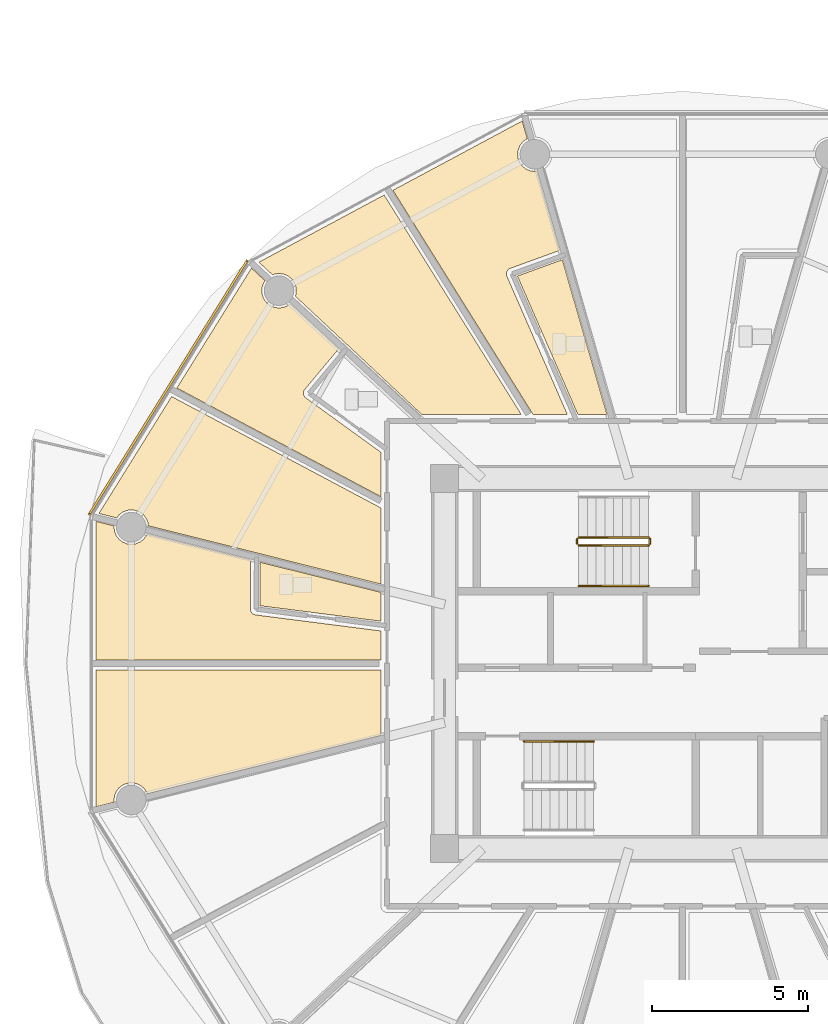
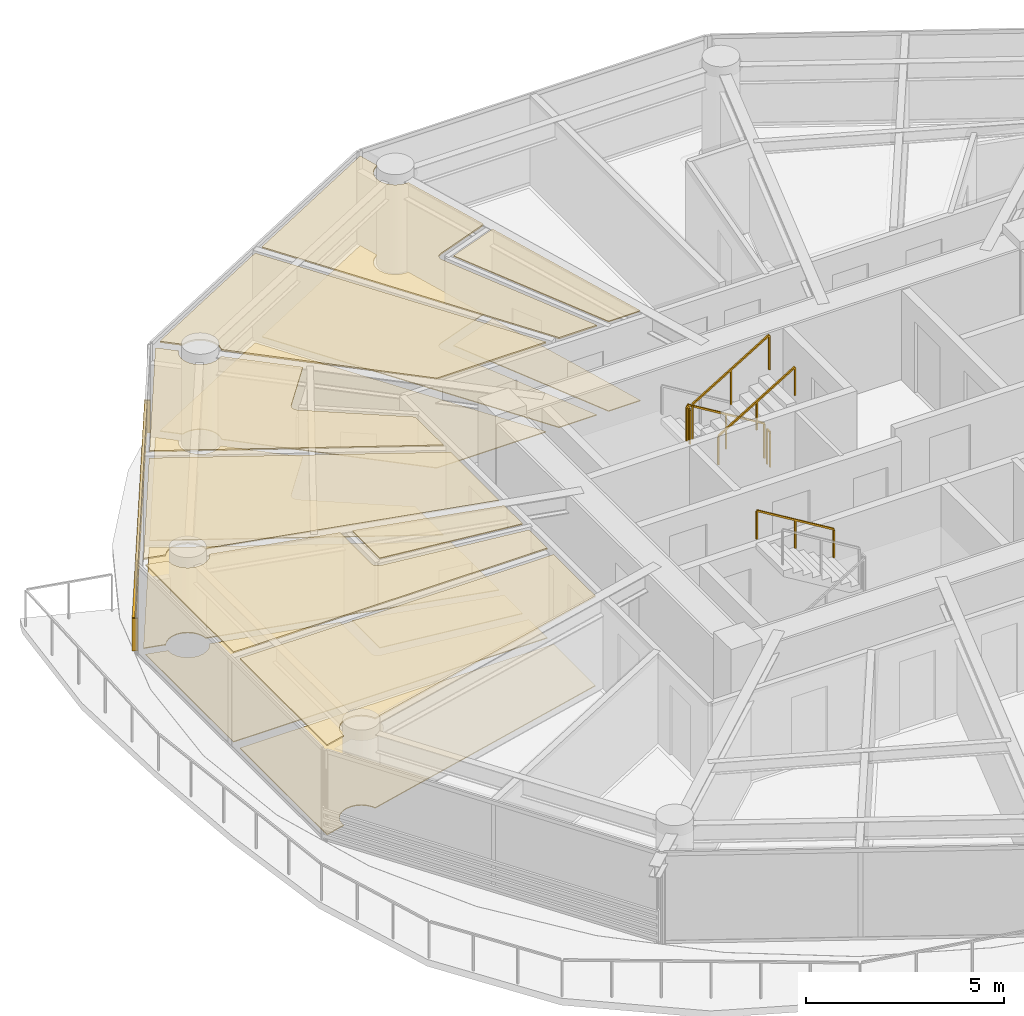
# One storey, part 24 of 31: 16 coverings, 6 railings, 1 shading device.
"""IFC4 building model written with IfcOpenShell, lengths in metres."""

import ifcopenshell
import ifcopenshell.guid

model = None  # the IFC model being written
_history = None  # IfcOwnerHistory: only IFC2X3 demands one
_inside = {}  # id of a spatial element -> (the spatial element, [elements in it])
_under = {}  # id of a project, library or spatial element -> (it, [spatial elements below it])
_declared = {}  # id of a project -> (the project, [libraries it declares])
_typed = {}  # id of a type object -> (the type object, [elements of that type])
_made_of = {}  # id of a material, layer set ... -> (it, [elements and type objects made of it])


def new_model(schema):
    """Start an empty IFC model of exactly this schema.

    Asked for "IFC4X3", IfcOpenShell would pick the latest addendum, in which some entities
    have other attributes; the version numbers below select the first issue.
    IFC2X3 requires an IfcOwnerHistory on every rooted entity: one is made here for all.
    """
    global model, _history
    if schema == "IFC4X3":
        model = ifcopenshell.file(schema_version=(4, 3, 0, 0))
    else:
        model = ifcopenshell.file(schema=schema)
    _inside.clear()
    _under.clear()
    _declared.clear()
    _typed.clear()
    _made_of.clear()
    _history = None
    if model.schema == "IFC2X3":
        org = make("IfcOrganization", Name="unknown")
        user = make(
            "IfcPersonAndOrganization",
            ThePerson=make("IfcPerson", FamilyName="unknown"),
            TheOrganization=org,
        )
        app = make(
            "IfcApplication",
            ApplicationDeveloper=org,
            Version="unknown",
            ApplicationFullName="unknown",
            ApplicationIdentifier="unknown",
        )
        _history = make(
            "IfcOwnerHistory",
            OwningUser=user,
            OwningApplication=app,
            ChangeAction="ADDED",
            CreationDate=0,
        )
    return model


def make(cls, **values):
    """One entity of the class cls with the attributes given. An attribute that is None is left unset."""
    return model.create_entity(
        cls, **{name: value for name, value in values.items() if value is not None}
    )


def rooted(cls, **values):
    """An entity with a GlobalId (a new one), such as an element, a storey or a relation."""
    return make(cls, GlobalId=ifcopenshell.guid.new(), OwnerHistory=_history, **values)


def si_unit(unit_type, name, prefix=None):
    """IfcSIUnit, for example si_unit("LENGTHUNIT", "METRE", prefix="MILLI")."""
    return make("IfcSIUnit", UnitType=unit_type, Prefix=prefix, Name=name)


def assignment(units):
    """IfcUnitAssignment: the units of a project."""
    return None if units is None else make("IfcUnitAssignment", Units=units)


def point(xyz):
    """IfcCartesianPoint."""
    return None if xyz is None else make("IfcCartesianPoint", Coordinates=xyz)


def direction(xyz):
    """IfcDirection."""
    return None if xyz is None else make("IfcDirection", DirectionRatios=xyz)


def frame(location, z_axis=None, x_axis=None):
    """IfcAxis2Placement3D, a coordinate frame: its origin and axes. An axis left out is left unset."""
    return make(
        "IfcAxis2Placement3D",
        Location=point(location),
        Axis=direction(z_axis),
        RefDirection=direction(x_axis),
    )


def frame_2d(location, x_axis=None):
    """IfcAxis2Placement2D, a coordinate frame in the plane: its origin and x axis."""
    return make(
        "IfcAxis2Placement2D", Location=point(location), RefDirection=direction(x_axis)
    )


def origin():
    """The frame at (0, 0, 0) with its axes left unset."""
    return frame((0.0, 0.0, 0.0))


def origin_2d():
    """The frame at (0, 0) in the plane with its x axis left unset."""
    return frame_2d((0.0, 0.0))


def place(relative_to, where):
    """IfcLocalPlacement: puts the frame where relative to a parent placement (None: the world)."""
    return make(
        "IfcLocalPlacement", PlacementRelTo=relative_to, RelativePlacement=where
    )


def context(
    kind, dimensions, precision=None, world=None, true_north=None, identifier=None
):
    """IfcGeometricRepresentationContext, for example the 3D "Model" context."""
    return make(
        "IfcGeometricRepresentationContext",
        ContextIdentifier=identifier,
        ContextType=kind,
        CoordinateSpaceDimension=dimensions,
        Precision=precision,
        WorldCoordinateSystem=world,
        TrueNorth=true_north,
    )


def subcontext(parent, identifier, kind, view, scale=None):
    """IfcGeometricRepresentationSubContext, for example "Body" below "Model"."""
    return make(
        "IfcGeometricRepresentationSubContext",
        ContextIdentifier=identifier,
        ContextType=kind,
        ParentContext=parent,
        TargetScale=scale,
        TargetView=view,
    )


def project(units=None, contexts=None):
    """IfcProject with its units and contexts."""
    return rooted(
        "IfcProject",
        Name="project",
        RepresentationContexts=contexts,
        UnitsInContext=assignment(units),
    )


def spatial(cls, under=None, at=None, **own):
    """A site, building, storey or space (cls), placed at a placement, below another one or the project."""
    s = rooted(cls, ObjectPlacement=at, **own)
    if under is not None:
        _under.setdefault(under.id(), (under, []))[1].append(s)
    return s


def polyline(points):
    """IfcPolyline through the points."""
    return make("IfcPolyline", Points=[point(p) for p in points])


def profile(cls, at=None, kind="AREA", **sizes):
    """A parametric profile (cls). Its sizes go by their IFC names, for example OverallWidth=200.0."""
    return make(cls, ProfileType=kind, Position=at, **sizes)


def rectangle(**sizes):
    """IfcRectangleProfileDef."""
    return profile("IfcRectangleProfileDef", **sizes)


def outline(outer, holes=None, kind="AREA"):
    """IfcArbitraryClosedProfileDef: a profile drawn as a closed curve; with holes, ...WithVoids."""
    if holes is None:
        return make("IfcArbitraryClosedProfileDef", ProfileType=kind, OuterCurve=outer)
    return make(
        "IfcArbitraryProfileDefWithVoids",
        ProfileType=kind,
        OuterCurve=outer,
        InnerCurves=holes,
    )


def extrude(swept, where, along, depth):
    """IfcExtrudedAreaSolid: the profile swept, set in the frame where, extruded along a direction by depth."""
    return make(
        "IfcExtrudedAreaSolid",
        SweptArea=swept,
        Position=where,
        ExtrudedDirection=direction(along),
        Depth=depth,
    )


def shape(context_of_items, identifier, shape_type, items):
    """IfcShapeRepresentation: the items that make up one representation, for example the "Body"."""
    return make(
        "IfcShapeRepresentation",
        ContextOfItems=context_of_items,
        RepresentationIdentifier=identifier,
        RepresentationType=shape_type,
        Items=items,
    )


def source(mapping_origin, context_of_items, identifier, shape_type, items):
    """IfcRepresentationMap: a shape defined once, which mapped items show again and again."""
    return make(
        "IfcRepresentationMap",
        MappingOrigin=mapping_origin,
        MappedRepresentation=shape(context_of_items, identifier, shape_type, items),
    )


def transform(
    local_origin,
    x_axis=None,
    y_axis=None,
    z_axis=None,
    scale=None,
    scale2=None,
    scale3=None,
    uniform=True,
):
    """IfcCartesianTransformationOperator3D, or its non-uniform kind. x_axis, y_axis, z_axis: its Axis1, 2, 3."""
    if uniform:
        return make(
            "IfcCartesianTransformationOperator3D",
            Axis1=direction(x_axis),
            Axis2=direction(y_axis),
            LocalOrigin=point(local_origin),
            Scale=scale,
            Axis3=direction(z_axis),
        )
    return make(
        "IfcCartesianTransformationOperator3DnonUniform",
        Axis1=direction(x_axis),
        Axis2=direction(y_axis),
        LocalOrigin=point(local_origin),
        Scale=scale,
        Axis3=direction(z_axis),
        Scale2=scale2,
        Scale3=scale3,
    )


def mapped(mapping_source, mapping_target):
    """IfcMappedItem: shows the shape of a source again, moved by a transform."""
    return make(
        "IfcMappedItem", MappingSource=mapping_source, MappingTarget=mapping_target
    )


def material(Name=None, Category=None):
    """IfcMaterial."""
    return make("IfcMaterial", Name=Name, Category=Category)


def layer(
    of_material, thickness, ventilated=None, Name=None, Category=None, Priority=None
):
    """IfcMaterialLayer: one layer of a wall or slab, of a material (None: an air gap)."""
    return make(
        "IfcMaterialLayer",
        Material=of_material,
        LayerThickness=thickness,
        IsVentilated=ventilated,
        Name=Name,
        Category=Category,
        Priority=Priority,
    )


def layer_set(layers, Name=None):
    """IfcMaterialLayerSet."""
    return make("IfcMaterialLayerSet", MaterialLayers=layers, LayerSetName=Name)


def made_of(thing, what):
    """Note that an element or type object is made of a material, layer set ...; save() writes the relation."""
    if what is not None:
        _made_of.setdefault(what.id(), (what, []))[1].append(thing)
    return thing


def type_object(cls, material=None, **own):
    """A type object (cls), such as IfcWallType, which elements share."""
    return made_of(rooted(cls, **own), material)


def type_shapes(of_type, sources):
    """Give a type object the sources (RepresentationMaps) that its elements show as mapped items."""
    of_type.RepresentationMaps = sources


def element(
    cls,
    number,
    at=None,
    inside=None,
    cuts=None,
    type_object=None,
    material=None,
    context=None,
    identifier="Body",
    shape_type=None,
    held_by="IfcProductDefinitionShape",
    body=None,
    shapes=None,
    **own,
):
    """One element of the class cls, such as IfcWall. Its Tag is "e" and its number.

    at: its placement. inside: the storey or other place that contains it. cuts: it is an
    opening in that element (IfcRelVoidsElement). A single representation is given by context,
    identifier, shape_type and body (its items); several are given by shapes. held_by: the class
    of the entity that holds the representations. save() writes the other relations.
    """
    e = rooted(cls, Tag="e%d" % number, ObjectPlacement=at, **own)
    if body is not None:
        shapes = [shape(context, identifier, shape_type, body)]
    if shapes is not None:
        e.Representation = make(held_by, Representations=shapes)
    if inside is not None:
        _inside.setdefault(inside.id(), (inside, []))[1].append(e)
    if cuts is not None:
        rooted(
            "IfcRelVoidsElement", RelatingBuildingElement=cuts, RelatedOpeningElement=e
        )
    if type_object is not None:
        _typed.setdefault(type_object.id(), (type_object, []))[1].append(e)
    return made_of(e, material)


def aggregate(whole, parts):
    """IfcRelAggregates: a whole, such as a stair, and the parts it consists of."""
    return rooted("IfcRelAggregates", RelatingObject=whole, RelatedObjects=parts)


def save(model, path):
    """Write the relations noted so far, then the file.

    IfcRelAggregates (storeys below a building ...), IfcRelContainedInSpatialStructure (elements
    in a storey), IfcRelDefinesByType, IfcRelAssociatesMaterial and IfcRelDeclares: one each for
    every whole, place, type object, material and project.
    """
    for whole, parts in _under.values():
        aggregate(whole, parts)
    for where, things in _inside.values():
        rooted(
            "IfcRelContainedInSpatialStructure",
            RelatedElements=things,
            RelatingStructure=where,
        )
    for kind, things in _typed.values():
        rooted("IfcRelDefinesByType", RelatedObjects=things, RelatingType=kind)
    for what, things in _made_of.values():
        rooted("IfcRelAssociatesMaterial", RelatedObjects=things, RelatingMaterial=what)
    for by, libraries in _declared.values():
        rooted("IfcRelDeclares", RelatingContext=by, RelatedDefinitions=libraries)
    model.write(path)


model = new_model("IFC4")

# Units and contexts
model_context = context("Model", 3, precision=1e-05, world=origin(), true_north=direction((0.0, 1.0)))
body_context = subcontext(model_context, "Body", "Model", "MODEL_VIEW")
ifc_project = project(units=[si_unit("LENGTHUNIT", "METRE"), si_unit("AREAUNIT", "SQUARE_METRE"), si_unit("VOLUMEUNIT", "CUBIC_METRE"), si_unit("PLANEANGLEUNIT", "RADIAN"), si_unit("MASSUNIT", "GRAM", prefix="KILO")], contexts=[model_context])

# Site, building, storey
site_placement = place(None, origin())
site = spatial("IfcSite", under=ifc_project, at=site_placement, CompositionType="ELEMENT")
building_placement = place(site_placement, origin())
building = spatial("IfcBuilding", under=site, at=building_placement, Name="Norrkilde Senior Care Towers", CompositionType="ELEMENT")
storey_placement = place(building_placement, frame((0.0, 0.0, 42.949951171875)))
storey = spatial("IfcBuildingStorey", under=building, at=storey_placement, Name="L12", CompositionType="ELEMENT", Elevation=42.949951171875)

# Coverings
ifc_material_1 = material(Name="Nordic Ash Timber", Category="wood")
ifc_layer_1 = layer(ifc_material_1, 0.044921875)
ifc_layer_set_1 = layer_set([ifc_layer_1], Name="Nordic Ash Timber")
covering_type_1 = type_object("IfcCoveringType", Name="Acoustic Ash Timber Slatted Ceiling 45", PredefinedType="CEILING", material=ifc_layer_set_1)
covering_1_placement = place(storey_placement, frame((0.0, 0.0, 2.7451171875)))
element("IfcCovering", 1, at=covering_1_placement, inside=storey, type_object=covering_type_1, Name="L12 Suspended Ceiling 0162", PredefinedType="CEILING", context=body_context, shape_type="SweptSolid", body=[
    extrude(outline(polyline([(-33.5615234375, 12.69580078125), (-33.5673828125, 12.692626953125), (-33.577392578125, 12.6865234375), (-33.582763671875, 12.682861328125), (-33.592041015625, 12.676025390625), (-33.597412109375, 12.671875), (-33.60595703125, 12.6640625), (-33.61083984375, 12.659423828125), (-33.618408203125, 12.65087890625), (-33.622802734375, 12.645751953125), (-33.629638671875, 12.636474609375), (-33.633544921875, 12.630859375), (-33.6396484375, 12.62109375), (-33.642822265625, 12.615234375), (-33.64794921875, 12.604736328125), (-33.650390625, 12.5986328125), (-33.654541015625, 12.587890625), (-33.656494140625, 12.581298828125), (-33.65966796875, 12.5703125), (-33.660888671875, 12.563720703125), (-33.662841796875, 12.55224609375), (-33.66357421875, 12.545654296875), (-33.66455078125, 12.5341796875), (-33.66455078125, 12.52734375), (-33.664306640625, 12.515869140625), (-33.663818359375, 12.509033203125), (-33.662353515625, 12.49755859375), (-33.6611328125, 12.490966796875), (-33.65869140625, 12.479736328125), (-33.656982421875, 12.473388671875), (-33.6533203125, 12.46240234375), (-33.65087890625, 12.4560546875), (-33.648681640625, 12.45068359375), (-31.70361328125, 8.0), (-32.80517578125, 8.0), (-32.85498046875, 8.080322265625), (-32.855224609375, 8.080810546875), (-37.31396484375, 15.2138671875), (-33.1572265625, 17.442626953125), (-32.991455078125, 16.86767578125), (-33.02685546875, 16.85302734375), (-33.141845703125, 16.764892578125), (-33.22998046875, 16.64990234375), (-33.285400390625, 16.51611328125), (-33.304443359375, 16.37255859375), (-33.285400390625, 16.228759765625), (-33.22998046875, 16.094970703125), (-33.141845703125, 15.97998046875), (-33.02685546875, 15.891845703125), (-32.89306640625, 15.83642578125), (-32.749267578125, 15.8173828125), (-32.6904296875, 15.8251953125), (-31.95556640625, 13.2802734375), (-33.53955078125, 12.705322265625), (-33.544921875, 12.703369140625), (-33.551025390625, 12.70068359375), (-33.5615234375, 12.69580078125)])), origin(), (0.0, 0.0, 1.0), 0.044921875),
])
covering_2_placement = place(storey_placement, frame((0.0, 0.0, 2.7451171875)))
element("IfcCovering", 2, at=covering_2_placement, inside=storey, type_object=covering_type_1, Name="L12 Suspended Ceiling 0164", PredefinedType="CEILING", context=body_context, shape_type="SweptSolid", body=[
    extrude(outline(polyline([(-36.377685546875, 8.0), (-40.4521484375, 11.810791015625), (-40.439208984375, 11.841796875), (-40.42041015625, 11.9853515625), (-40.439208984375, 12.129150390625), (-40.494873046875, 12.262939453125), (-40.5830078125, 12.3779296875), (-40.697998046875, 12.466064453125), (-40.831787109375, 12.521484375), (-40.975341796875, 12.54052734375), (-41.119140625, 12.521484375), (-41.183349609375, 12.494873046875), (-41.62109375, 12.904296875), (-37.596435546875, 15.062255859375), (-33.18212890625, 8.0), (-36.377685546875, 8.0)])), origin(), (0.0, 0.0, 1.0), 0.044921875),
])
covering_3_placement = place(storey_placement, frame((0.0, 0.0, 2.7451171875)))
element("IfcCovering", 3, at=covering_3_placement, inside=storey, type_object=covering_type_1, Name="L12 Suspended Ceiling 0165", PredefinedType="CEILING", context=body_context, shape_type="SweptSolid", body=[
    extrude(outline(polyline([(-40.16064453125, 8.79443359375), (-40.1640625, 8.788818359375), (-40.169677734375, 8.778564453125), (-40.172607421875, 8.772705078125), (-40.17724609375, 8.761962890625), (-40.1796875, 8.755615234375), (-40.18310546875, 8.74462890625), (-40.184814453125, 8.738037109375), (-40.187255859375, 8.726806640625), (-40.1884765625, 8.72021484375), (-40.18994140625, 8.708740234375), (-40.190185546875, 8.701904296875), (-40.1904296875, 8.6904296875), (-40.1904296875, 8.68359375), (-40.189453125, 8.672119140625), (-40.188720703125, 8.665283203125), (-40.186767578125, 8.654052734375), (-40.185302734375, 8.6474609375), (-40.18212890625, 8.63623046875), (-40.179931640625, 8.6298828125), (-40.17578125, 8.618896484375), (-40.173095703125, 8.61279296875), (-40.16796875, 8.6025390625), (-40.164794921875, 8.596435546875), (-40.15869140625, 8.586669921875), (-40.15478515625, 8.5810546875), (-40.147705078125, 8.572021484375), (-40.143310546875, 8.56689453125), (-40.135498046875, 8.558349609375), (-40.130615234375, 8.5537109375), (-40.121826171875, 8.5458984375), (-40.11669921875, 8.541748046875), (-40.112060546875, 8.538330078125), (-37.699951171875, 6.791259765625), (-37.699951171875, 5.365478515625), (-44.258544921875, 8.856689453125), (-41.861328125, 12.71240234375), (-41.42333984375, 12.3056640625), (-41.4560546875, 12.262939453125), (-41.511474609375, 12.129150390625), (-41.530517578125, 11.9853515625), (-41.511474609375, 11.841796875), (-41.4560546875, 11.7080078125), (-41.367919921875, 11.593017578125), (-41.2529296875, 11.5048828125), (-41.119140625, 11.449462890625), (-40.975341796875, 11.430419921875), (-40.831787109375, 11.449462890625), (-40.697998046875, 11.5048828125), (-40.623046875, 11.562255859375), (-39.0615234375, 10.111572265625), (-40.146484375, 8.81396484375), (-40.14990234375, 8.8095703125), (-40.154052734375, 8.80419921875), (-40.16064453125, 8.79443359375)])), origin(), (0.0, 0.0, 1.0), 0.044921875),
])
covering_4_placement = place(storey_placement, frame((0.0, 0.0, 2.7451171875)))
element("IfcCovering", 4, at=covering_4_placement, inside=storey, type_object=covering_type_1, Name="L12 Suspended Ceiling 0166", PredefinedType="CEILING", context=body_context, shape_type="SweptSolid", body=[
    extrude(outline(polyline([(-37.79736328125, 5.0546875), (-37.7001953125, 5.002197265625), (-37.699951171875, 2.5546875), (-45.175048828125, 4.427978515625), (-45.188720703125, 4.530517578125), (-45.244140625, 4.66455078125), (-45.332275390625, 4.779541015625), (-45.447265625, 4.86767578125), (-45.5810546875, 4.923095703125), (-45.724853515625, 4.94189453125), (-45.868408203125, 4.923095703125), (-46.002197265625, 4.86767578125), (-46.1171875, 4.779541015625), (-46.19140625, 4.6826171875), (-46.763916015625, 4.826171875), (-44.427734375, 8.584228515625), (-37.79736328125, 5.0546875)])), origin(), (0.0, 0.0, 1.0), 0.044921875),
])
covering_5_placement = place(storey_placement, frame((0.0, 0.0, 2.7451171875)))
element("IfcCovering", 5, at=covering_5_placement, inside=storey, type_object=covering_type_1, Name="L12 Suspended Ceiling 0167", PredefinedType="CEILING", context=body_context, shape_type="SweptSolid", body=[
    extrude(outline(polyline([(-41.89453125, 1.729736328125), (-41.8935546875, 1.72314453125), (-41.891357421875, 1.711669921875), (-41.8896484375, 1.705078125), (-41.886474609375, 1.694091796875), (-41.88427734375, 1.687744140625), (-41.8798828125, 1.677001953125), (-41.877197265625, 1.6708984375), (-41.871826171875, 1.66064453125), (-41.868408203125, 1.65478515625), (-41.862060546875, 1.64501953125), (-41.858154296875, 1.639404296875), (-41.85107421875, 1.63037109375), (-41.846435546875, 1.62548828125), (-41.83837890625, 1.616943359375), (-41.83349609375, 1.612548828125), (-41.82470703125, 1.60498046875), (-41.8193359375, 1.600830078125), (-41.809814453125, 1.59423828125), (-41.80419921875, 1.590576171875), (-41.794189453125, 1.5849609375), (-41.7880859375, 1.581787109375), (-41.777587890625, 1.5771484375), (-41.771240234375, 1.57470703125), (-41.76025390625, 1.571044921875), (-41.753662109375, 1.5693359375), (-41.742431640625, 1.566650390625), (-41.73583984375, 1.5654296875), (-41.72998046875, 1.564697265625), (-37.699951171875, 1.049072265625), (-37.699951171875, 0.1201171875), (-46.850830078125, 0.1201171875), (-46.850830078125, 4.5673828125), (-46.27490234375, 4.424072265625), (-46.27978515625, 4.386962890625), (-46.2607421875, 4.243408203125), (-46.205322265625, 4.109375), (-46.1171875, 3.99462890625), (-46.002197265625, 3.90625), (-45.868408203125, 3.850830078125), (-45.724853515625, 3.83203125), (-45.5810546875, 3.850830078125), (-45.447265625, 3.90625), (-45.332275390625, 3.99462890625), (-45.244140625, 4.109375), (-45.22216796875, 4.162353515625), (-41.89013671875, 3.333740234375), (-41.89599609375, 1.75390625), (-41.895751953125, 1.748046875), (-41.8955078125, 1.7412109375), (-41.89453125, 1.729736328125)])), origin(), (0.0, 0.0, 1.0), 0.044921875),
])
covering_6_placement = place(storey_placement, frame((0.0, 0.0, 2.7451171875)))
element("IfcCovering", 6, at=covering_6_placement, inside=storey, type_object=covering_type_1, Name="L12 Suspended Ceiling 0169", PredefinedType="CEILING", context=body_context, shape_type="SweptSolid", body=[
    extrude(outline(polyline([(-37.699951171875, -0.199951171875), (-37.699951171875, -2.30712890625), (-45.2109375, -4.189697265625), (-45.244140625, -4.109375), (-45.332275390625, -3.99462890625), (-45.447265625, -3.90625), (-45.5810546875, -3.850830078125), (-45.724853515625, -3.83203125), (-45.868408203125, -3.850830078125), (-46.002197265625, -3.90625), (-46.1171875, -3.99462890625), (-46.205322265625, -4.109375), (-46.2607421875, -4.243408203125), (-46.27978515625, -4.386962890625), (-46.270751953125, -4.455322265625), (-46.850830078125, -4.6005859375), (-46.850830078125, -0.199951171875), (-37.699951171875, -0.199951171875)])), origin(), (0.0, 0.0, 1.0), 0.044921875),
])
ifc_material_2 = material(Name="Gypsum Acoustic Board")
ifc_layer_2 = layer(ifc_material_2, 0.030029296875)
ifc_layer_set_2 = layer_set([ifc_layer_2], Name="Gypsum Acoustic Board")
covering_type_2 = type_object("IfcCoveringType", Name="Medical Cleanable Gypsum Ceiling 30", PredefinedType="CEILING", material=ifc_layer_set_2)
covering_7_placement = place(storey_placement, frame((0.0, 0.0, 2.760009765625)))
element("IfcCovering", 7, at=covering_7_placement, inside=storey, type_object=covering_type_2, Name="L12 Suspended Ceiling 0163", PredefinedType="CEILING", context=body_context, shape_type="SweptSolid", body=[
    extrude(outline(polyline([(-31.869384765625, 12.981689453125), (-30.432373046875, 8.0), (-31.365234375, 8.0), (-33.3134765625, 12.45751953125), (-31.869384765625, 12.981689453125)])), origin(), (0.0, 0.0, 1.0), 0.030029296875),
])
covering_8_placement = place(storey_placement, frame((0.0, 0.0, 2.760009765625)))
element("IfcCovering", 8, at=covering_8_placement, inside=storey, type_object=covering_type_2, Name="L12 Suspended Ceiling 0168", PredefinedType="CEILING", context=body_context, shape_type="SweptSolid", body=[
    extrude(outline(polyline([(-41.58056640625, 3.256591796875), (-37.699951171875, 2.290771484375), (-37.699951171875, 1.36181640625), (-41.58544921875, 1.858642578125), (-41.58056640625, 3.256591796875)])), origin(), (0.0, 0.0, 1.0), 0.030029296875),
])
ifc_material_3 = material(Name="Slip-Resistant Porcelain Stone", Category="masonry")
ifc_layer_3 = layer(ifc_material_3, 0.02490234375)
ifc_layer_set_3 = layer_set([ifc_layer_3], Name="Slip-Resistant Porcelain Stone")
covering_type_3 = type_object("IfcCoveringType", Name="Slip-Resistant Porcelain Flooring 25", PredefinedType="FLOORING", material=ifc_layer_set_3)
covering_9_placement = place(storey_placement, origin())
element("IfcCovering", 9, at=covering_9_placement, inside=storey, type_object=covering_type_3, Name="L12 Floor Finish 0162", PredefinedType="FLOORING", context=body_context, shape_type="SweptSolid", body=[
    extrude(outline(polyline([(-33.5615234375, 12.69580078125), (-33.5673828125, 12.692626953125), (-33.577392578125, 12.6865234375), (-33.582763671875, 12.682861328125), (-33.592041015625, 12.676025390625), (-33.597412109375, 12.671875), (-33.60595703125, 12.6640625), (-33.61083984375, 12.659423828125), (-33.618408203125, 12.65087890625), (-33.622802734375, 12.645751953125), (-33.629638671875, 12.636474609375), (-33.633544921875, 12.630859375), (-33.6396484375, 12.62109375), (-33.642822265625, 12.615234375), (-33.64794921875, 12.604736328125), (-33.650390625, 12.5986328125), (-33.654541015625, 12.587890625), (-33.656494140625, 12.581298828125), (-33.65966796875, 12.5703125), (-33.660888671875, 12.563720703125), (-33.662841796875, 12.55224609375), (-33.66357421875, 12.545654296875), (-33.66455078125, 12.5341796875), (-33.66455078125, 12.52734375), (-33.664306640625, 12.515869140625), (-33.663818359375, 12.509033203125), (-33.662353515625, 12.49755859375), (-33.6611328125, 12.490966796875), (-33.65869140625, 12.479736328125), (-33.656982421875, 12.473388671875), (-33.6533203125, 12.46240234375), (-33.65087890625, 12.4560546875), (-33.648681640625, 12.45068359375), (-31.70361328125, 8.0), (-32.80517578125, 8.0), (-32.85498046875, 8.080322265625), (-32.855224609375, 8.080810546875), (-37.31396484375, 15.2138671875), (-33.1572265625, 17.442626953125), (-32.991455078125, 16.86767578125), (-33.02685546875, 16.85302734375), (-33.141845703125, 16.764892578125), (-33.22998046875, 16.64990234375), (-33.285400390625, 16.51611328125), (-33.304443359375, 16.37255859375), (-33.285400390625, 16.228759765625), (-33.22998046875, 16.094970703125), (-33.141845703125, 15.97998046875), (-33.02685546875, 15.891845703125), (-32.89306640625, 15.83642578125), (-32.749267578125, 15.8173828125), (-32.6904296875, 15.8251953125), (-31.95556640625, 13.2802734375), (-33.53955078125, 12.705322265625), (-33.544921875, 12.703369140625), (-33.551025390625, 12.70068359375), (-33.5615234375, 12.69580078125)])), origin(), (0.0, 0.0, 1.0), 0.025146484375),
])
covering_10_placement = place(storey_placement, origin())
element("IfcCovering", 10, at=covering_10_placement, inside=storey, type_object=covering_type_3, Name="L12 Floor Finish 0163", PredefinedType="FLOORING", context=body_context, shape_type="SweptSolid", body=[
    extrude(outline(polyline([(-31.869384765625, 12.981689453125), (-30.432373046875, 8.0), (-31.365234375, 8.0), (-33.3134765625, 12.45751953125), (-31.869384765625, 12.981689453125)])), origin(), (0.0, 0.0, 1.0), 0.025146484375),
])
covering_11_placement = place(storey_placement, origin())
element("IfcCovering", 11, at=covering_11_placement, inside=storey, type_object=covering_type_3, Name="L12 Floor Finish 0164", PredefinedType="FLOORING", context=body_context, shape_type="SweptSolid", body=[
    extrude(outline(polyline([(-36.377685546875, 8.0), (-40.4521484375, 11.810791015625), (-40.439208984375, 11.841796875), (-40.42041015625, 11.9853515625), (-40.439208984375, 12.129150390625), (-40.494873046875, 12.262939453125), (-40.5830078125, 12.3779296875), (-40.697998046875, 12.466064453125), (-40.831787109375, 12.521484375), (-40.975341796875, 12.54052734375), (-41.119140625, 12.521484375), (-41.183349609375, 12.494873046875), (-41.62109375, 12.904296875), (-37.596435546875, 15.062255859375), (-33.18212890625, 8.0), (-36.377685546875, 8.0)])), origin(), (0.0, 0.0, 1.0), 0.025146484375),
])
covering_12_placement = place(storey_placement, origin())
element("IfcCovering", 12, at=covering_12_placement, inside=storey, type_object=covering_type_3, Name="L12 Floor Finish 0165", PredefinedType="FLOORING", context=body_context, shape_type="SweptSolid", body=[
    extrude(outline(polyline([(-40.16064453125, 8.79443359375), (-40.1640625, 8.788818359375), (-40.169677734375, 8.778564453125), (-40.172607421875, 8.772705078125), (-40.17724609375, 8.761962890625), (-40.1796875, 8.755615234375), (-40.18310546875, 8.74462890625), (-40.184814453125, 8.738037109375), (-40.187255859375, 8.726806640625), (-40.1884765625, 8.72021484375), (-40.18994140625, 8.708740234375), (-40.190185546875, 8.701904296875), (-40.1904296875, 8.6904296875), (-40.1904296875, 8.68359375), (-40.189453125, 8.672119140625), (-40.188720703125, 8.665283203125), (-40.186767578125, 8.654052734375), (-40.185302734375, 8.6474609375), (-40.18212890625, 8.63623046875), (-40.179931640625, 8.6298828125), (-40.17578125, 8.618896484375), (-40.173095703125, 8.61279296875), (-40.16796875, 8.6025390625), (-40.164794921875, 8.596435546875), (-40.15869140625, 8.586669921875), (-40.15478515625, 8.5810546875), (-40.147705078125, 8.572021484375), (-40.143310546875, 8.56689453125), (-40.135498046875, 8.558349609375), (-40.130615234375, 8.5537109375), (-40.121826171875, 8.5458984375), (-40.11669921875, 8.541748046875), (-40.112060546875, 8.538330078125), (-37.699951171875, 6.791259765625), (-37.699951171875, 5.365478515625), (-44.258544921875, 8.856689453125), (-41.861328125, 12.71240234375), (-41.42333984375, 12.3056640625), (-41.4560546875, 12.262939453125), (-41.511474609375, 12.129150390625), (-41.530517578125, 11.9853515625), (-41.511474609375, 11.841796875), (-41.4560546875, 11.7080078125), (-41.367919921875, 11.593017578125), (-41.2529296875, 11.5048828125), (-41.119140625, 11.449462890625), (-40.975341796875, 11.430419921875), (-40.831787109375, 11.449462890625), (-40.697998046875, 11.5048828125), (-40.623046875, 11.562255859375), (-39.0615234375, 10.111572265625), (-40.146484375, 8.81396484375), (-40.14990234375, 8.8095703125), (-40.154052734375, 8.80419921875), (-40.16064453125, 8.79443359375)])), origin(), (0.0, 0.0, 1.0), 0.025146484375),
])
covering_13_placement = place(storey_placement, origin())
element("IfcCovering", 13, at=covering_13_placement, inside=storey, type_object=covering_type_3, Name="L12 Floor Finish 0166", PredefinedType="FLOORING", context=body_context, shape_type="SweptSolid", body=[
    extrude(outline(polyline([(-37.79736328125, 5.0546875), (-37.7001953125, 5.002197265625), (-37.699951171875, 2.5546875), (-45.175048828125, 4.427978515625), (-45.188720703125, 4.530517578125), (-45.244140625, 4.66455078125), (-45.332275390625, 4.779541015625), (-45.447265625, 4.86767578125), (-45.5810546875, 4.923095703125), (-45.724853515625, 4.94189453125), (-45.868408203125, 4.923095703125), (-46.002197265625, 4.86767578125), (-46.1171875, 4.779541015625), (-46.19140625, 4.6826171875), (-46.763916015625, 4.826171875), (-44.427734375, 8.584228515625), (-37.79736328125, 5.0546875)])), origin(), (0.0, 0.0, 1.0), 0.025146484375),
])
covering_14_placement = place(storey_placement, origin())
element("IfcCovering", 14, at=covering_14_placement, inside=storey, type_object=covering_type_3, Name="L12 Floor Finish 0167", PredefinedType="FLOORING", context=body_context, shape_type="SweptSolid", body=[
    extrude(outline(polyline([(-41.89453125, 1.729736328125), (-41.8935546875, 1.72314453125), (-41.891357421875, 1.711669921875), (-41.8896484375, 1.705078125), (-41.886474609375, 1.694091796875), (-41.88427734375, 1.687744140625), (-41.8798828125, 1.677001953125), (-41.877197265625, 1.6708984375), (-41.871826171875, 1.66064453125), (-41.868408203125, 1.65478515625), (-41.862060546875, 1.64501953125), (-41.858154296875, 1.639404296875), (-41.85107421875, 1.63037109375), (-41.846435546875, 1.62548828125), (-41.83837890625, 1.616943359375), (-41.83349609375, 1.612548828125), (-41.82470703125, 1.60498046875), (-41.8193359375, 1.600830078125), (-41.809814453125, 1.59423828125), (-41.80419921875, 1.590576171875), (-41.794189453125, 1.5849609375), (-41.7880859375, 1.581787109375), (-41.777587890625, 1.5771484375), (-41.771240234375, 1.57470703125), (-41.76025390625, 1.571044921875), (-41.753662109375, 1.5693359375), (-41.742431640625, 1.566650390625), (-41.73583984375, 1.5654296875), (-41.72998046875, 1.564697265625), (-37.699951171875, 1.049072265625), (-37.699951171875, 0.1201171875), (-46.850830078125, 0.1201171875), (-46.850830078125, 4.5673828125), (-46.27490234375, 4.424072265625), (-46.27978515625, 4.386962890625), (-46.2607421875, 4.243408203125), (-46.205322265625, 4.109375), (-46.1171875, 3.99462890625), (-46.002197265625, 3.90625), (-45.868408203125, 3.850830078125), (-45.724853515625, 3.83203125), (-45.5810546875, 3.850830078125), (-45.447265625, 3.90625), (-45.332275390625, 3.99462890625), (-45.244140625, 4.109375), (-45.22216796875, 4.162353515625), (-41.89013671875, 3.333740234375), (-41.89599609375, 1.75390625), (-41.895751953125, 1.748046875), (-41.8955078125, 1.7412109375), (-41.89453125, 1.729736328125)])), origin(), (0.0, 0.0, 1.0), 0.025146484375),
])
covering_15_placement = place(storey_placement, origin())
element("IfcCovering", 15, at=covering_15_placement, inside=storey, type_object=covering_type_3, Name="L12 Floor Finish 0168", PredefinedType="FLOORING", context=body_context, shape_type="SweptSolid", body=[
    extrude(outline(polyline([(-41.58056640625, 3.256591796875), (-37.699951171875, 2.290771484375), (-37.699951171875, 1.36181640625), (-41.58544921875, 1.858642578125), (-41.58056640625, 3.256591796875)])), origin(), (0.0, 0.0, 1.0), 0.025146484375),
])
covering_16_placement = place(storey_placement, origin())
element("IfcCovering", 16, at=covering_16_placement, inside=storey, type_object=covering_type_3, Name="L12 Floor Finish 0169", PredefinedType="FLOORING", context=body_context, shape_type="SweptSolid", body=[
    extrude(outline(polyline([(-37.699951171875, -0.199951171875), (-37.699951171875, -2.30712890625), (-45.2109375, -4.189697265625), (-45.244140625, -4.109375), (-45.332275390625, -3.99462890625), (-45.447265625, -3.90625), (-45.5810546875, -3.850830078125), (-45.724853515625, -3.83203125), (-45.868408203125, -3.850830078125), (-46.002197265625, -3.90625), (-46.1171875, -3.99462890625), (-46.205322265625, -4.109375), (-46.2607421875, -4.243408203125), (-46.27978515625, -4.386962890625), (-46.270751953125, -4.455322265625), (-46.850830078125, -4.6005859375), (-46.850830078125, -0.199951171875), (-37.699951171875, -0.199951171875)])), origin(), (0.0, 0.0, 1.0), 0.025146484375),
])

# Railings
ifc_material_4 = material(Name="Stainless Steel", Category="steel")
railing_type_1 = type_object("IfcRailingType", Name="Stair and Terrace Guardrail 1100", PredefinedType="GUARDRAIL", material=ifc_material_4)
railing_1_placement = place(storey_placement, frame((-29.10009765625, 4.050048828125, 0.16943359375)))
element("IfcRailing", 17, at=railing_1_placement, inside=storey, type_object=railing_type_1, Name="L12 ST-W1 stair guard 1", PredefinedType="GUARDRAIL", context=body_context, shape_type="SweptSolid", body=[
    extrude(rectangle(XDim=0.048095703125, YDim=0.048095703125, at=origin_2d()), frame((0.0, 0.0, 1.076171875), z_axis=(-0.855512035549, 0.0, 0.517782924622), x_axis=(0.0, -1.0, 0.0)), (0.0, 0.0, 1.0), 2.618408203125),
    extrude(rectangle(XDim=0.0419921875, YDim=0.0419921875, at=origin_2d()), origin(), (0.0, 0.0, 1.0), 1.050048828125),
    extrude(rectangle(XDim=0.0419921875, YDim=0.0419921875, at=origin_2d()), frame((-1.1201171875, 0.0, 0.677734375)), (0.0, 0.0, 1.0), 1.050048828125),
    extrude(rectangle(XDim=0.0419921875, YDim=0.0419921875, at=origin_2d()), frame((-2.239990234375, 0.0, 1.355712890625)), (0.0, 0.0, 1.0), 1.050048828125),
])
railing_2_placement = place(storey_placement, frame((-31.389892578125, 4.0, 1.525146484375)))
element("IfcRailing", 18, at=railing_2_placement, inside=storey, type_object=railing_type_1, Name="L12 ST-W1 stair guard 2", PredefinedType="GUARDRAIL", context=body_context, shape_type="SweptSolid", body=[
    extrude(rectangle(XDim=0.048095703125, YDim=0.048095703125, at=origin_2d()), frame((0.0, 0.0, 1.076171875), z_axis=(0.0, -1.0, 0.0), x_axis=(1.0, 0.0, 0.0)), (0.0, 0.0, 1.0), 0.14990234375),
    extrude(rectangle(XDim=0.0419921875, YDim=0.0419921875, at=origin_2d()), origin(), (0.0, 0.0, 1.0), 1.050048828125),
    extrude(rectangle(XDim=0.0419921875, YDim=0.0419921875, at=origin_2d()), frame((0.0, -0.14990234375, 0.0)), (0.0, 0.0, 1.0), 1.050048828125),
])
railing_3_placement = place(storey_placement, frame((-31.340087890625, 3.800048828125, 1.694580078125)))
element("IfcRailing", 19, at=railing_3_placement, inside=storey, type_object=railing_type_1, Name="L12 ST-W1 stair guard 3", PredefinedType="GUARDRAIL", context=body_context, shape_type="SweptSolid", body=[
    extrude(rectangle(XDim=0.048095703125, YDim=0.048095703125, at=origin_2d()), frame((0.0, 0.0, 1.076171875), z_axis=(0.855553338991, 0.0, 0.51771467445), x_axis=(0.0, 1.0, 0.0)), (0.0, 0.0, 1.0), 2.6181640625),
    extrude(rectangle(XDim=0.0419921875, YDim=0.0419921875, at=origin_2d()), origin(), (0.0, 0.0, 1.0), 1.050048828125),
    extrude(rectangle(XDim=0.0419921875, YDim=0.0419921875, at=origin_2d()), frame((1.1201171875, 0.0, 0.677734375)), (0.0, 0.0, 1.0), 1.050048828125),
    extrude(rectangle(XDim=0.0419921875, YDim=0.0419921875, at=origin_2d()), frame((2.239990234375, 0.0, 1.35546875)), (0.0, 0.0, 1.0), 1.050048828125),
])
railing_4_placement = place(storey_placement, frame((-29.050048828125, 4.0, 0.0)))
element("IfcRailing", 20, at=railing_4_placement, inside=storey, type_object=railing_type_1, Name="L12 ST-W1 stair guard 4", PredefinedType="GUARDRAIL", context=body_context, shape_type="SweptSolid", body=[
    extrude(rectangle(XDim=0.048095703125, YDim=0.048095703125, at=origin_2d()), frame((0.0, 0.0, 1.076171875), z_axis=(0.0, -1.0, 0.0), x_axis=(1.0, 0.0, 0.0)), (0.0, 0.0, 1.0), 0.14990234375),
    extrude(rectangle(XDim=0.0419921875, YDim=0.0419921875, at=origin_2d()), origin(), (0.0, 0.0, 1.0), 1.050048828125),
    extrude(rectangle(XDim=0.0419921875, YDim=0.0419921875, at=origin_2d()), frame((0.0, -0.14990234375, 0.0)), (0.0, 0.0, 1.0), 1.050048828125),
])
railing_type_2 = type_object("IfcRailingType", Name="Wall and Stair Handrail 900", PredefinedType="HANDRAIL", material=ifc_material_1)
railing_5_placement = place(storey_placement, frame((-31.340087890625, 2.5, 1.694580078125)))
element("IfcRailing", 21, at=railing_5_placement, inside=storey, type_object=railing_type_2, Name="L12 ST-W1 stair handrail 2", PredefinedType="HANDRAIL", context=body_context, shape_type="SweptSolid", body=[
    extrude(rectangle(XDim=0.048095703125, YDim=0.048095703125, at=origin_2d()), frame((0.0, 0.0, 0.8759765625), z_axis=(0.855553338991, 0.0, 0.51771467445), x_axis=(0.0, 1.0, 0.0)), (0.0, 0.0, 1.0), 2.6181640625),
    extrude(rectangle(XDim=0.0419921875, YDim=0.0419921875, at=origin_2d()), origin(), (0.0, 0.0, 1.0), 0.849853515625),
    extrude(rectangle(XDim=0.0419921875, YDim=0.0419921875, at=origin_2d()), frame((1.1201171875, 0.0, 0.677734375)), (0.0, 0.0, 1.0), 0.849853515625),
    extrude(rectangle(XDim=0.0419921875, YDim=0.0419921875, at=origin_2d()), frame((2.239990234375, 0.0, 1.35546875)), (0.0, 0.0, 1.0), 0.849853515625),
])
railing_6_placement = place(storey_placement, frame((-30.860107421875, -2.5, 1.694580078125)))
element("IfcRailing", 22, at=railing_6_placement, inside=storey, type_object=railing_type_2, Name="L12 ST-W2 stair handrail 2", PredefinedType="HANDRAIL", context=body_context, shape_type="SweptSolid", body=[
    extrude(rectangle(XDim=0.048095703125, YDim=0.048095703125, at=origin_2d()), frame((0.0, 0.0, 0.8759765625), z_axis=(-0.855553338991, 0.0, 0.51771467445), x_axis=(0.0, -1.0, 0.0)), (0.0, 0.0, 1.0), 2.6181640625),
    extrude(rectangle(XDim=0.0419921875, YDim=0.0419921875, at=origin_2d()), origin(), (0.0, 0.0, 1.0), 0.849853515625),
    extrude(rectangle(XDim=0.0419921875, YDim=0.0419921875, at=origin_2d()), frame((-1.1201171875, 0.0, 0.677734375)), (0.0, 0.0, 1.0), 0.849853515625),
    extrude(rectangle(XDim=0.0419921875, YDim=0.0419921875, at=origin_2d()), frame((-2.239990234375, 0.0, 1.35546875)), (0.0, 0.0, 1.0), 0.849853515625),
])

# Shading device
ifc_material_5 = material(Name="Architectural Terracotta", Category="masonry")
shading_device_type = type_object("IfcShadingDeviceType", Name="Horizontal Terracotta Baguette Rack", PredefinedType="USERDEFINED", material=ifc_material_5)
shared_shape = source(origin(), body_context, "Body", "SweptSolid", [
    extrude(rectangle(XDim=0.070068359375, YDim=0.110107421875, at=origin_2d()), frame((0.0, 0.090087890625, 0.125), z_axis=(1.0, 0.0, 0.0), x_axis=(0.0, 1.0, 0.0)), (0.0, 0.0, 1.0), 9.64892578125),
    extrude(rectangle(XDim=0.070068359375, YDim=0.110107421875, at=origin_2d()), frame((0.0, 0.090087890625, 0.375), z_axis=(1.0, 0.0, 0.0), x_axis=(0.0, 1.0, 0.0)), (0.0, 0.0, 1.0), 9.64892578125),
    extrude(rectangle(XDim=0.070068359375, YDim=0.110107421875, at=origin_2d()), frame((0.0, 0.090087890625, 0.625), z_axis=(1.0, 0.0, 0.0), x_axis=(0.0, 1.0, 0.0)), (0.0, 0.0, 1.0), 9.64892578125),
    extrude(rectangle(XDim=0.070068359375, YDim=0.110107421875, at=origin_2d()), frame((0.0, 0.090087890625, 0.875), z_axis=(1.0, 0.0, 0.0), x_axis=(0.0, 1.0, 0.0)), (0.0, 0.0, 1.0), 9.64892578125),
    extrude(rectangle(XDim=0.050048828125, YDim=0.1552734375, at=origin_2d()), frame((0.02490234375, 0.047607421875, 0.0)), (0.0, 0.0, 1.0), 1.0),
    extrude(rectangle(XDim=0.050048828125, YDim=0.1552734375, at=origin_2d()), frame((9.6240234375, 0.047607421875, 0.0)), (0.0, 0.0, 1.0), 1.0),
])
type_shapes(shading_device_type, [shared_shape])
shading_device_placement = place(storey_placement, frame((-47.009521484375, 4.731201171875, 0.080078125), z_axis=(0.0, 0.0, 1.0), x_axis=(0.527908506655, 0.849299124538, 0.0)))
element("IfcShadingDevice", 23, at=shading_device_placement, inside=storey, type_object=shading_device_type, Name="L12 Drum W Terracotta Baguette Screen 04", ObjectType="BAGUETTE", PredefinedType="USERDEFINED", context=body_context, shape_type="MappedRepresentation", body=[
    mapped(shared_shape, transform((0.0, 0.0, 0.0), x_axis=(1.0, 0.0, 0.0), y_axis=(0.0, 1.0, 0.0), z_axis=(0.0, 0.0, 1.0), scale=1.0)),
])

save(model, "model.ifc")
